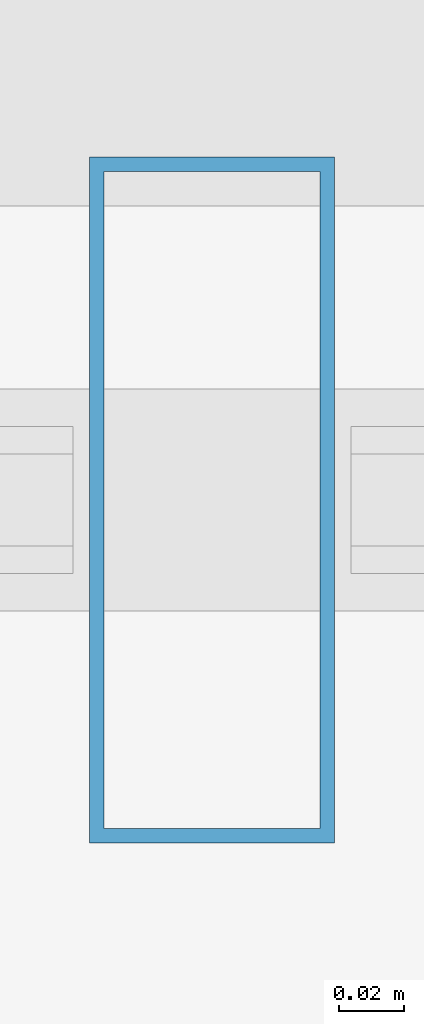
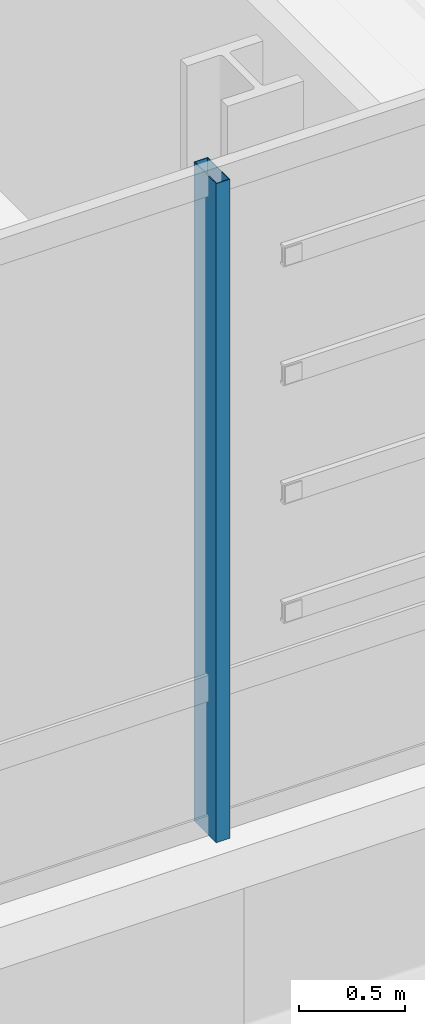
# One storey, part 6 of 36: 1 member, 1 element without a shape of its own.
"""IFC4 building model written with IfcOpenShell, lengths in metres."""

from ifc_helpers import new_model, si_unit, direction, frame, origin, origin_2d, place, context, subcontext, project, spatial, hollow_rectangle, extrude, material, material_profile, profile_set, type_object, element, aggregate, save


model = new_model("IFC4")

# Units and contexts
model_context = context("Model", 3, precision=1e-05, world=origin(), true_north=direction((0.0, 1.0)))
body_context = subcontext(model_context, "Body", "Model", "MODEL_VIEW")
ifc_project = project(units=[si_unit("LENGTHUNIT", "METRE"), si_unit("AREAUNIT", "SQUARE_METRE"), si_unit("VOLUMEUNIT", "CUBIC_METRE"), si_unit("PLANEANGLEUNIT", "RADIAN"), si_unit("MASSUNIT", "GRAM", prefix="KILO")], contexts=[model_context])

# Site, building, storey
site_placement = place(None, origin())
site = spatial("IfcSite", under=ifc_project, at=site_placement, CompositionType="ELEMENT")
building_placement = place(site_placement, origin())
building = spatial("IfcBuilding", under=site, at=building_placement, Name="Punatoya Terracotta Tower", CompositionType="ELEMENT")
storey_placement = place(building_placement, frame((0.0, 0.0, 32.25)))
storey = spatial("IfcBuildingStorey", under=building, at=storey_placement, Name="L06", CompositionType="ELEMENT", Elevation=32.25)

# Curtain wall, member
ifc_material_1 = material(Name="Aluminium 6063-T6 + Double Low-E Glass", Category="aluminium")
curtain_wall_type = type_object("IfcCurtainWallType", Name="CW-M1", PredefinedType="NOTDEFINED", material=ifc_material_1)
curtain_wall_placement = place(storey_placement, origin())
curtain_wall = element("IfcCurtainWall", 1, at=curtain_wall_placement, inside=storey, type_object=curtain_wall_type, Name="L06 Curtain Wall CW-L06-S01-1", PredefinedType="NOTDEFINED")
ifc_material_2 = material(Name="Aluminium 6063-T6", Category="aluminium")
ifc_material_profile = material_profile(ifc_material_2, hollow_rectangle(XDim=0.074951171875, YDim=0.2099609375, WallThickness=0.00439453125, at=origin_2d()))
ifc_profile_set = profile_set([ifc_material_profile], Name="Aluminium 6063-T6")
member_type = type_object("IfcMemberType", Name="CW-MUL-M1", PredefinedType="MULLION", material=ifc_profile_set)
member_placement = place(storey_placement, frame((-4.1669921875, -23.25, 0.0), z_axis=(0.0, 0.0, 1.0), x_axis=(1.0, 0.0, 0.0)))
member = element("IfcMember", 2, at=member_placement, type_object=member_type, Name="CW-L06-S01-1 Mullion 05", PredefinedType="MULLION", context=body_context, shape_type="SweptSolid", body=[
    extrude(hollow_rectangle(XDim=0.074951171875, YDim=0.2099609375, WallThickness=0.00439453125, at=origin_2d()), origin(), (0.0, 0.0, 1.0), 3.81005859375),
])
aggregate(curtain_wall, [member])

save(model, "model.ifc")
